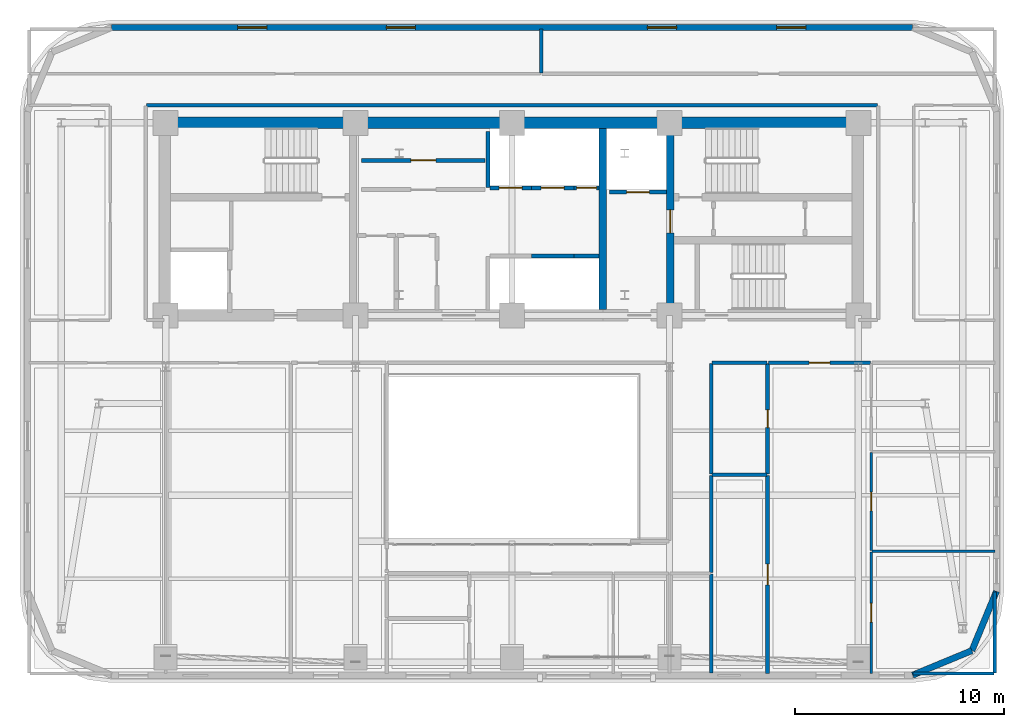
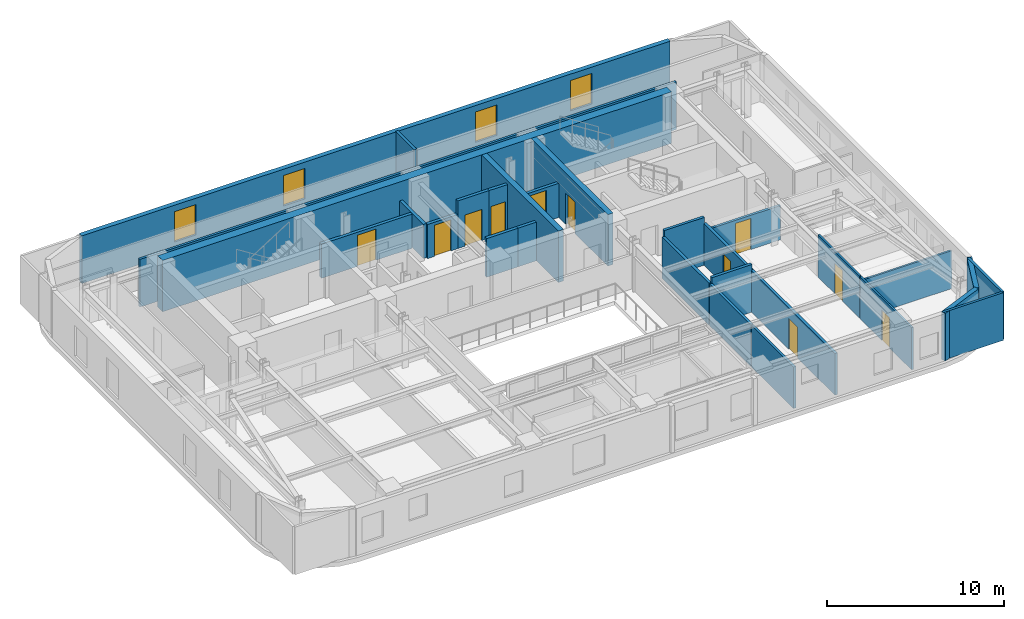
# One storey, part 8 of 13: 29 walls, 11 doors, 4 windows, 15 openings.
"""IFC4 building model written with IfcOpenShell, lengths in metres."""

from ifc_helpers import new_model, si_unit, direction, frame, frame_2d, origin, place, context, subcontext, project, spatial, rectangle, extrude, material, layer, layer_set, type_object, element, fill, save


model = new_model("IFC4")

# Units and contexts
model_context = context("Model", 3, precision=1e-05, world=origin(), true_north=direction((0.0, 1.0)))
body_context = subcontext(model_context, "Body", "Model", "MODEL_VIEW")
ifc_project = project(units=[si_unit("LENGTHUNIT", "METRE"), si_unit("AREAUNIT", "SQUARE_METRE"), si_unit("VOLUMEUNIT", "CUBIC_METRE"), si_unit("PLANEANGLEUNIT", "RADIAN"), si_unit("MASSUNIT", "GRAM", prefix="KILO")], contexts=[model_context])

# Site, building, storey
site_placement = place(None, origin())
site = spatial("IfcSite", under=ifc_project, at=site_placement, CompositionType="ELEMENT")
building_placement = place(site_placement, origin())
building = spatial("IfcBuilding", under=site, at=building_placement, Name="Zarnavel Station Tower", CompositionType="ELEMENT")
storey_placement = place(building_placement, frame((0.0, 0.0, 162.550048828125)))
storey = spatial("IfcBuildingStorey", under=building, at=storey_placement, Name="L44", CompositionType="ELEMENT", Elevation=162.550048828125)

# Wall
ifc_material_1 = material(Name="Concrete C50/60", Category="concrete")
ifc_layer_1 = layer(ifc_material_1, 0.35009765625)
ifc_layer_set_1 = layer_set([ifc_layer_1], Name="CW_350")
wall_type_1 = type_object("IfcWallType", Name="CW_350", PredefinedType="SHEAR", material=ifc_layer_set_1)
wall_1_placement = place(storey_placement, frame((33.14990234375, 28.094970703125, 0.0), z_axis=(0.0, 0.0, 1.0), x_axis=(0.0, 1.0, 0.0)))
element("IfcWall", 1, at=wall_1_placement, inside=storey, type_object=wall_type_1, Name="L44 Rear Core Shear Wall DIV-E", PredefinedType="SHEAR", context=body_context, shape_type="SweptSolid", body=[
    extrude(rectangle(XDim=8.679931640625, YDim=0.35009765625, at=frame_2d((4.33984375, 0.0))), origin(), (0.0, 0.0, 1.0), 3.550048828125),
])

# Wall, opening, door
wall_2_placement = place(storey_placement, frame((36.3798828125, 28.094970703125, 0.0), z_axis=(0.0, 0.0, 1.0), x_axis=(0.0, 1.0, 0.0)))
wall_2 = element("IfcWall", 2, at=wall_2_placement, inside=storey, type_object=wall_type_1, Name="L44 Rear Core Shear Wall DIV-S2", PredefinedType="SHEAR", context=body_context, shape_type="SweptSolid", body=[
    extrude(rectangle(XDim=8.679931640625, YDim=0.35009765625, at=frame_2d((4.33984375, 0.0))), origin(), (0.0, 0.0, 1.0), 3.550048828125),
])
opening_1_placement = place(wall_2_placement, frame((3.68505859375, 0.0, 0.0)))
opening_1 = element("IfcOpeningElement", 3, at=opening_1_placement, cuts=wall_2, Name="Opening FD01", PredefinedType="OPENING", context=body_context, shape_type="SweptSolid", body=[
    extrude(rectangle(XDim=1.10009765625, YDim=2.14990234375, at=frame_2d((0.550048828125, 1.074951171875))), frame((0.0, 0.18505859375, 0.0), z_axis=(0.0, -1.0, 0.0), x_axis=(1.0, 0.0, 0.0)), (0.0, 0.0, 1.0), 0.3701171875),
])
ifc_material_2 = material(Name="Painted Galvanised Steel and Hardwood Leaf", Category="steel")
door_type_1 = type_object("IfcDoorType", Name="ID_STAIR_1100", OperationType="NOTDEFINED", PredefinedType="DOOR", material=ifc_material_2)
door_1_placement = place(opening_1_placement, origin())
door_1 = element("IfcDoor", 4, at=door_1_placement, inside=storey, type_object=door_type_1, Name="L44 East Stair Vestibule Fire Door", OperationType="SINGLE_SWING_LEFT", OverallHeight=2.14990234375, OverallWidth=1.10009765625, PredefinedType="DOOR", context=body_context, shape_type="SweptSolid", body=[
    extrude(rectangle(XDim=1.10009765625, YDim=2.14990234375, at=frame_2d((0.550048828125, 1.074951171875))), frame((0.0, 0.02490234375, 0.0), z_axis=(0.0, -1.0, 0.0), x_axis=(1.0, 0.0, 0.0)), (0.0, 0.0, 1.0), 0.050048828125),
])
fill(opening_1, door_1)

# Walls
ifc_material_3 = material(Name="Concrete C50/60", Category="concrete")
ifc_layer_2 = layer(ifc_material_3, 0.550048828125)
ifc_layer_set_2 = layer_set([ifc_layer_2], Name="CW_550")
wall_type_2 = type_object("IfcWallType", Name="CW_550", PredefinedType="SHEAR", material=ifc_layer_set_2)
wall_3_placement = place(storey_placement, frame((12.14990234375, 37.050048828125, 0.0), z_axis=(0.0, 0.0, 1.0), x_axis=(1.0, 0.0, 0.0)))
element("IfcWall", 5, at=wall_3_placement, inside=storey, type_object=wall_type_2, Name="L44 Rear Core Shear Wall N", PredefinedType="SHEAR", context=body_context, shape_type="SweptSolid", body=[
    extrude(rectangle(XDim=33.22998046875, YDim=0.550048828125, at=frame_2d((16.614990234375, 0.0))), origin(), (0.0, 0.0, 1.0), 3.550048828125),
])
ifc_material_4 = material(Name="Precast concrete C45/55 (Dark Basalt Finish)", Category="masonry")
ifc_layer_3 = layer(ifc_material_4, 0.300048828125)
ifc_layer_set_3 = layer_set([ifc_layer_3], Name="EW_BASALT_300")
wall_type_3 = type_object("IfcWallType", Name="EW_BASALT_300", PredefinedType="SOLIDWALL", material=ifc_layer_set_3)
wall_4_placement = place(storey_placement, frame((50.842529296875, 11.75732421875, 0.0), z_axis=(0.0, 0.0, 1.0), x_axis=(-0.92389884758, -0.382636798336, 0.0)))
element("IfcWall", 6, at=wall_4_placement, inside=storey, type_object=wall_type_3, Name="L44 Exterior Basalt Masonry Frame Wall 01", PredefinedType="SOLIDWALL", context=body_context, shape_type="SweptSolid", body=[
    extrude(rectangle(XDim=3.07666015625, YDim=0.300048828125, at=frame_2d((1.538330078125, 0.0))), origin(), (0.0, 0.0, 1.0), 3.2900390625),
])
wall_5_placement = place(storey_placement, frame((52.02001953125, 14.60009765625, 0.0), z_axis=(0.0, 0.0, 1.0), x_axis=(-0.382676475685, -0.923882414032, 0.0)))
element("IfcWall", 7, at=wall_5_placement, inside=storey, type_object=wall_type_3, Name="L44 Exterior Basalt Masonry Frame Wall 02", PredefinedType="SOLIDWALL", context=body_context, shape_type="SweptSolid", body=[
    extrude(rectangle(XDim=3.076904296875, YDim=0.300048828125, at=frame_2d((1.53857421875, 0.0))), origin(), (0.0, 0.0, 1.0), 3.2900390625),
])

# Wall, openings, windows
wall_6_placement = place(storey_placement, frame((9.60009765625, 41.6201171875, 0.0), z_axis=(0.0, 0.0, 1.0), x_axis=(1.0, 0.0, 0.0)))
wall_6 = element("IfcWall", 8, at=wall_6_placement, inside=storey, type_object=wall_type_3, Name="L44 Exterior Basalt Masonry Frame Wall 06", PredefinedType="SOLIDWALL", context=body_context, shape_type="SweptSolid", body=[
    extrude(rectangle(XDim=38.39990234375, YDim=0.300048828125, at=frame_2d((19.199951171875, 0.0))), origin(), (0.0, 0.0, 1.0), 3.2900390625),
])
opening_2_placement = place(wall_6_placement, frame((6.046630859375, 0.0, 0.75)))
opening_2 = element("IfcOpeningElement", 9, at=opening_2_placement, cuts=wall_6, Name="Opening WN04", PredefinedType="OPENING", context=body_context, shape_type="SweptSolid", body=[
    extrude(rectangle(XDim=1.39990234375, YDim=2.10009765625, at=frame_2d((0.699951171875, 1.050048828125))), frame((0.0, 0.159912109375, 0.0), z_axis=(0.0, -1.0, 0.0), x_axis=(1.0, 0.0, 0.0)), (0.0, 0.0, 1.0), 0.320068359375),
])
opening_3_placement = place(wall_6_placement, frame((13.17333984375, 0.0, 0.75)))
opening_3 = element("IfcOpeningElement", 10, at=opening_3_placement, cuts=wall_6, Name="Opening WN04", PredefinedType="OPENING", context=body_context, shape_type="SweptSolid", body=[
    extrude(rectangle(XDim=1.39990234375, YDim=2.10009765625, at=frame_2d((0.699951171875, 1.050048828125))), frame((0.0, 0.159912109375, 0.0), z_axis=(0.0, -1.0, 0.0), x_axis=(1.0, 0.0, 0.0)), (0.0, 0.0, 1.0), 0.320068359375),
])
opening_4_placement = place(wall_6_placement, frame((25.693359375, 0.0, 0.75)))
opening_4 = element("IfcOpeningElement", 11, at=opening_4_placement, cuts=wall_6, Name="Opening WN04", PredefinedType="OPENING", context=body_context, shape_type="SweptSolid", body=[
    extrude(rectangle(XDim=1.39990234375, YDim=2.10009765625, at=frame_2d((0.699951171875, 1.050048828125))), frame((0.0, 0.159912109375, 0.0), z_axis=(0.0, -1.0, 0.0), x_axis=(1.0, 0.0, 0.0)), (0.0, 0.0, 1.0), 0.320068359375),
])
opening_5_placement = place(wall_6_placement, frame((31.88671875, 0.0, 0.75)))
opening_5 = element("IfcOpeningElement", 12, at=opening_5_placement, cuts=wall_6, Name="Opening WN04", PredefinedType="OPENING", context=body_context, shape_type="SweptSolid", body=[
    extrude(rectangle(XDim=1.39990234375, YDim=2.10009765625, at=frame_2d((0.699951171875, 1.050048828125))), frame((0.0, 0.159912109375, 0.0), z_axis=(0.0, -1.0, 0.0), x_axis=(1.0, 0.0, 0.0)), (0.0, 0.0, 1.0), 0.320068359375),
])
ifc_material_5 = material(Name="Thermally Broken Black Aluminium and Low-E Dark Glass", Category="aluminium")
window_type = type_object("IfcWindowType", Name="WN_1400x2100", PartitioningType="DOUBLE_PANEL_VERTICAL", PredefinedType="WINDOW", material=ifc_material_5)
window_1_placement = place(opening_2_placement, origin())
window_1 = element("IfcWindow", 13, at=window_1_placement, inside=storey, type_object=window_type, Name="L44 Recessed Facade Window 01", OverallHeight=2.10009765625, OverallWidth=1.39990234375, PartitioningType="SINGLE_PANEL", PredefinedType="WINDOW", context=body_context, shape_type="SweptSolid", body=[
    extrude(rectangle(XDim=1.39990234375, YDim=2.10009765625, at=frame_2d((0.699951171875, 1.050048828125))), frame((0.0, 0.030029296875, 0.0), z_axis=(0.0, -1.0, 0.0), x_axis=(1.0, 0.0, 0.0)), (0.0, 0.0, 1.0), 0.06005859375),
])
fill(opening_2, window_1)
window_2_placement = place(opening_3_placement, origin())
window_2 = element("IfcWindow", 14, at=window_2_placement, inside=storey, type_object=window_type, Name="L44 Recessed Facade Window 02", OverallHeight=2.10009765625, OverallWidth=1.39990234375, PartitioningType="SINGLE_PANEL", PredefinedType="WINDOW", context=body_context, shape_type="SweptSolid", body=[
    extrude(rectangle(XDim=1.39990234375, YDim=2.10009765625, at=frame_2d((0.699951171875, 1.050048828125))), frame((0.0, 0.030029296875, 0.0), z_axis=(0.0, -1.0, 0.0), x_axis=(1.0, 0.0, 0.0)), (0.0, 0.0, 1.0), 0.06005859375),
])
fill(opening_3, window_2)
window_3_placement = place(opening_4_placement, origin())
window_3 = element("IfcWindow", 15, at=window_3_placement, inside=storey, type_object=window_type, Name="L44 Recessed Facade Window 03", OverallHeight=2.10009765625, OverallWidth=1.39990234375, PartitioningType="SINGLE_PANEL", PredefinedType="WINDOW", context=body_context, shape_type="SweptSolid", body=[
    extrude(rectangle(XDim=1.39990234375, YDim=2.10009765625, at=frame_2d((0.699951171875, 1.050048828125))), frame((0.0, 0.030029296875, 0.0), z_axis=(0.0, -1.0, 0.0), x_axis=(1.0, 0.0, 0.0)), (0.0, 0.0, 1.0), 0.06005859375),
])
fill(opening_4, window_3)
window_4_placement = place(opening_5_placement, origin())
window_4 = element("IfcWindow", 16, at=window_4_placement, inside=storey, type_object=window_type, Name="L44 Recessed Facade Window 04", OverallHeight=2.10009765625, OverallWidth=1.39990234375, PartitioningType="SINGLE_PANEL", PredefinedType="WINDOW", context=body_context, shape_type="SweptSolid", body=[
    extrude(rectangle(XDim=1.39990234375, YDim=2.10009765625, at=frame_2d((0.699951171875, 1.050048828125))), frame((0.0, 0.030029296875, 0.0), z_axis=(0.0, -1.0, 0.0), x_axis=(1.0, 0.0, 0.0)), (0.0, 0.0, 1.0), 0.06005859375),
])
fill(opening_5, window_4)

# Wall, opening, door
ifc_material_6 = material(Name="Gypsum Twin-Stud Acoustic Fire Partition", Category="concrete")
ifc_layer_4 = layer(ifc_material_6, 0.159912109375)
ifc_layer_set_4 = layer_set([ifc_layer_4], Name="PT_DEMISE_160")
wall_type_4 = type_object("IfcWallType", Name="PT_DEMISE_160", PredefinedType="PARTITIONING", material=ifc_layer_set_4)
wall_7_placement = place(storey_placement, frame((41.090087890625, 25.550048828125, 0.0), z_axis=(0.0, 0.0, 1.0), x_axis=(1.0, 0.0, 0.0)))
wall_7 = element("IfcWall", 17, at=wall_7_placement, inside=storey, type_object=wall_type_4, Name="L44 Partition COR-S-UE1LV", PredefinedType="PARTITIONING", context=body_context, shape_type="SweptSolid", body=[
    extrude(rectangle(XDim=4.889892578125, YDim=0.159912109375, at=frame_2d((2.44482421875, 0.0))), origin(), (0.0, 0.0, 1.0), 2.35986328125),
])
opening_6_placement = place(wall_7_placement, frame((1.945068359375, 0.0, 0.0)))
opening_6 = element("IfcOpeningElement", 18, at=opening_6_placement, cuts=wall_7, Name="Opening FD02", PredefinedType="OPENING", context=body_context, shape_type="SweptSolid", body=[
    extrude(rectangle(XDim=1.0, YDim=2.14990234375, at=frame_2d((0.5, 1.074951171875))), frame((0.0, 0.08984375, 0.0), z_axis=(0.0, -1.0, 0.0), x_axis=(1.0, 0.0, 0.0)), (0.0, 0.0, 1.0), 0.179931640625),
])
ifc_material_7 = material(Name="Painted Galvanised Steel and Hardwood Leaf", Category="steel")
door_type_2 = type_object("IfcDoorType", Name="ID_ENTRY_1000", OperationType="NOTDEFINED", PredefinedType="DOOR", material=ifc_material_7)
door_2_placement = place(opening_6_placement, origin())
door_2 = element("IfcDoor", 19, at=door_2_placement, inside=storey, type_object=door_type_2, Name="L44 Door COR-S-UE1LV", OperationType="SINGLE_SWING_RIGHT", OverallHeight=2.14990234375, OverallWidth=1.0, PredefinedType="DOOR", context=body_context, shape_type="SweptSolid", body=[
    extrude(rectangle(XDim=1.0, YDim=2.14990234375, at=frame_2d((0.5, 1.074951171875))), frame((0.0, 0.02490234375, 0.0), z_axis=(0.0, -1.0, 0.0), x_axis=(1.0, 0.0, 0.0)), (0.0, 0.0, 1.0), 0.050048828125),
])
fill(opening_6, door_2)

# Walls
wall_8_placement = place(storey_placement, frame((11.280029296875, 37.89990234375, 0.0), z_axis=(0.0, 0.0, 1.0), x_axis=(1.0, 0.0, 0.0)))
element("IfcWall", 20, at=wall_8_placement, inside=storey, type_object=wall_type_4, Name="L44 Enclosure Wall COR-N", PredefinedType="PARTITIONING", context=body_context, shape_type="SweptSolid", body=[
    extrude(rectangle(XDim=35.0400390625, YDim=0.159912109375, at=frame_2d((17.52001953125, 0.0))), origin(), (0.0, 0.0, 1.0), 3.2900390625),
])
wall_9_placement = place(storey_placement, frame((38.35009765625, 10.68994140625, 0.0), z_axis=(0.0, 0.0, 1.0), x_axis=(0.0, 1.0, 0.0)))
element("IfcWall", 21, at=wall_9_placement, inside=storey, type_object=wall_type_4, Name="L44 Enclosure Wall UE1KT", PredefinedType="PARTITIONING", context=body_context, shape_type="SweptSolid", body=[
    extrude(rectangle(XDim=4.72998046875, YDim=0.159912109375, at=frame_2d((2.364990234375, 0.0))), origin(), (0.0, 0.0, 1.0), 2.869873046875),
])
wall_10_placement = place(storey_placement, frame((48.030029296875, 10.659912109375, 0.0), z_axis=(0.0, 0.0, 1.0), x_axis=(1.0, 0.0, 0.0)))
element("IfcWall", 22, at=wall_10_placement, inside=storey, type_object=wall_type_4, Name="L44 Enclosure Wall UE1B1", PredefinedType="PARTITIONING", context=body_context, shape_type="SweptSolid", body=[
    extrude(rectangle(XDim=3.8798828125, YDim=0.159912109375, at=frame_2d((1.93994140625, 0.0))), origin(), (0.0, 0.0, 1.0), 3.2900390625),
])
wall_11_placement = place(storey_placement, frame((51.93994140625, 10.68994140625, 0.0), z_axis=(0.0, 0.0, 1.0), x_axis=(0.0, 1.0, 0.0)))
element("IfcWall", 23, at=wall_11_placement, inside=storey, type_object=wall_type_4, Name="L44 Enclosure Wall UE1B1", PredefinedType="PARTITIONING", context=body_context, shape_type="SweptSolid", body=[
    extrude(rectangle(XDim=3.880126953125, YDim=0.159912109375, at=frame_2d((1.93994140625, 0.0))), origin(), (0.0, 0.0, 1.0), 3.2900390625),
])

# Wall, opening, door
ifc_material_8 = material(Name="Gypsum Metal-Stud Interior Partition", Category="concrete")
ifc_layer_5 = layer(ifc_material_8, 0.1201171875)
ifc_layer_set_5 = layer_set([ifc_layer_5], Name="PT_ROOM_120")
wall_type_5 = type_object("IfcWallType", Name="PT_ROOM_120", PredefinedType="PARTITIONING", material=ifc_layer_set_5)
wall_12_placement = place(storey_placement, frame((46.02001953125, 10.659912109375, 0.0), z_axis=(0.0, 0.0, 1.0), x_axis=(0.0, 1.0, 0.0)))
wall_12 = element("IfcWall", 24, at=wall_12_placement, inside=storey, type_object=wall_type_5, Name="L44 Partition UE1LV-UE1B1", PredefinedType="PARTITIONING", context=body_context, shape_type="SweptSolid", body=[
    extrude(rectangle(XDim=5.817138671875, YDim=0.1201171875, at=frame_2d((2.90869140625, 0.0))), origin(), (0.0, 0.0, 1.0), 2.909912109375),
])
opening_7_placement = place(wall_12_placement, frame((2.45849609375, 0.0, 0.0)))
opening_7 = element("IfcOpeningElement", 25, at=opening_7_placement, cuts=wall_12, Name="Opening ID01", PredefinedType="OPENING", context=body_context, shape_type="SweptSolid", body=[
    extrude(rectangle(XDim=0.89990234375, YDim=2.10009765625, at=frame_2d((0.449951171875, 1.050048828125))), frame((0.0, 0.070068359375, 0.0), z_axis=(0.0, -1.0, 0.0), x_axis=(1.0, 0.0, 0.0)), (0.0, 0.0, 1.0), 0.14013671875),
])
ifc_material_9 = material(Name="Painted Galvanised Steel and Hardwood Leaf", Category="steel")
door_type_3 = type_object("IfcDoorType", Name="ID_ROOM_900", OperationType="NOTDEFINED", PredefinedType="DOOR", material=ifc_material_9)
door_3_placement = place(opening_7_placement, origin())
door_3 = element("IfcDoor", 26, at=door_3_placement, inside=storey, type_object=door_type_3, Name="L44 Door UE1LV-UE1B1", OperationType="SINGLE_SWING_RIGHT", OverallHeight=2.10009765625, OverallWidth=0.89990234375, PredefinedType="DOOR", context=body_context, shape_type="SweptSolid", body=[
    extrude(rectangle(XDim=0.89990234375, YDim=2.10009765625, at=frame_2d((0.449951171875, 1.050048828125))), frame((0.0, 0.02490234375, 0.0), z_axis=(0.0, -1.0, 0.0), x_axis=(1.0, 0.0, 0.0)), (0.0, 0.0, 1.0), 0.050048828125),
])
fill(opening_7, door_3)

wall_13_placement = place(storey_placement, frame((46.02001953125, 16.556884765625, 0.0), z_axis=(0.0, 0.0, 1.0), x_axis=(0.0, 1.0, 0.0)))
wall_13 = element("IfcWall", 27, at=wall_13_placement, inside=storey, type_object=wall_type_5, Name="L44 Partition UE1LV-UE1B2", PredefinedType="PARTITIONING", context=body_context, shape_type="SweptSolid", body=[
    extrude(rectangle(XDim=4.68505859375, YDim=0.1201171875, at=frame_2d((2.342529296875, 0.0))), origin(), (0.0, 0.0, 1.0), 2.909912109375),
])
opening_8_placement = place(wall_13_placement, frame((1.892578125, 0.0, 0.0)))
opening_8 = element("IfcOpeningElement", 28, at=opening_8_placement, cuts=wall_13, Name="Opening ID01", PredefinedType="OPENING", context=body_context, shape_type="SweptSolid", body=[
    extrude(rectangle(XDim=0.89990234375, YDim=2.10009765625, at=frame_2d((0.449951171875, 1.050048828125))), frame((0.0, 0.070068359375, 0.0), z_axis=(0.0, -1.0, 0.0), x_axis=(1.0, 0.0, 0.0)), (0.0, 0.0, 1.0), 0.14013671875),
])
door_4_placement = place(opening_8_placement, origin())
door_4 = element("IfcDoor", 29, at=door_4_placement, inside=storey, type_object=door_type_3, Name="L44 Door UE1LV-UE1B2", OperationType="SINGLE_SWING_LEFT", OverallHeight=2.10009765625, OverallWidth=0.89990234375, PredefinedType="DOOR", context=body_context, shape_type="SweptSolid", body=[
    extrude(rectangle(XDim=0.89990234375, YDim=2.10009765625, at=frame_2d((0.449951171875, 1.050048828125))), frame((0.0, 0.02490234375, 0.0), z_axis=(0.0, -1.0, 0.0), x_axis=(1.0, 0.0, 0.0)), (0.0, 0.0, 1.0), 0.050048828125),
])
fill(opening_8, door_4)

# Wall
wall_14_placement = place(storey_placement, frame((46.06005859375, 16.51708984375, 0.0), z_axis=(0.0, 0.0, 1.0), x_axis=(1.0, 0.0, 0.0)))
element("IfcWall", 30, at=wall_14_placement, inside=storey, type_object=wall_type_5, Name="L44 Partition UE1B1-UE1B2", PredefinedType="PARTITIONING", context=body_context, shape_type="SweptSolid", body=[
    extrude(rectangle(XDim=5.8798828125, YDim=0.1201171875, at=frame_2d((2.93994140625, 0.0))), origin(), (0.0, 0.0, 1.0), 2.619873046875),
])

# Wall, opening, door
ifc_material_10 = material(Name="Precast concrete C45/55 (Fire Shaft Blockwork)", Category="masonry")
ifc_layer_6 = layer(ifc_material_10, 0.199951171875)
ifc_layer_set_6 = layer_set([ifc_layer_6], Name="PT_SHAFT_200")
wall_type_6 = type_object("IfcWallType", Name="PT_SHAFT_200", PredefinedType="PARTITIONING", material=ifc_layer_set_6)
wall_15_placement = place(storey_placement, frame((33.47509765625, 33.72998046875, 0.0), z_axis=(0.0, 0.0, 1.0), x_axis=(1.0, 0.0, 0.0)))
wall_15 = element("IfcWall", 31, at=wall_15_placement, inside=storey, type_object=wall_type_6, Name="L44 Lift FFL-02 Shaft Front Wall", PredefinedType="PARTITIONING", context=body_context, shape_type="SweptSolid", body=[
    extrude(rectangle(XDim=2.724853515625, YDim=0.199951171875, at=frame_2d((1.3623046875, 0.0))), origin(), (0.0, 0.0, 1.0), 2.35986328125),
])
opening_9_placement = place(wall_15_placement, frame((0.8125, 0.0, 0.0)))
opening_9 = element("IfcOpeningElement", 32, at=opening_9_placement, cuts=wall_15, Name="Opening LD01", PredefinedType="OPENING", context=body_context, shape_type="SweptSolid", body=[
    extrude(rectangle(XDim=1.10009765625, YDim=2.14990234375, at=frame_2d((0.550048828125, 1.074951171875))), frame((0.0, 0.10986328125, 0.0), z_axis=(0.0, -1.0, 0.0), x_axis=(1.0, 0.0, 0.0)), (0.0, 0.0, 1.0), 0.219970703125),
])
ifc_material_11 = material(Name="Painted Galvanised Steel and Hardwood Leaf", Category="steel")
door_type_4 = type_object("IfcDoorType", Name="LD_FF_1100", OperationType="DOUBLE_DOOR_SLIDING", PredefinedType="DOOR", material=ifc_material_11)
door_5_placement = place(opening_9_placement, origin())
door_5 = element("IfcDoor", 33, at=door_5_placement, inside=storey, type_object=door_type_4, Name="L44 Lift FFL-02 Sliding Landing Door", OperationType="DOUBLE_DOOR_SLIDING", OverallHeight=2.14990234375, OverallWidth=1.10009765625, PredefinedType="DOOR", context=body_context, shape_type="SweptSolid", body=[
    extrude(rectangle(XDim=1.10009765625, YDim=2.14990234375, at=frame_2d((0.550048828125, 1.074951171875))), frame((0.0, 0.02490234375, 0.0), z_axis=(0.0, -1.0, 0.0), x_axis=(1.0, 0.0, 0.0)), (0.0, 0.0, 1.0), 0.050048828125),
])
fill(opening_9, door_5)

# Walls
wall_16_placement = place(storey_placement, frame((29.72509765625, 30.669921875, 0.0), z_axis=(0.0, 0.0, 1.0), x_axis=(1.0, 0.0, 0.0)))
element("IfcWall", 34, at=wall_16_placement, inside=storey, type_object=wall_type_6, Name="L44 Lift PL-H2 Shaft Front Wall", PredefinedType="PARTITIONING", context=body_context, shape_type="SweptSolid", body=[
    extrude(rectangle(XDim=2.0498046875, YDim=0.199951171875, at=frame_2d((1.02490234375, 0.0))), origin(), (0.0, 0.0, 1.0), 2.669921875),
])
wall_17_placement = place(storey_placement, frame((31.77490234375, 30.669921875, 0.0), z_axis=(0.0, 0.0, 1.0), x_axis=(1.0, 0.0, 0.0)))
element("IfcWall", 35, at=wall_17_placement, inside=storey, type_object=wall_type_6, Name="L44 Lift PL-H3 Shaft Front Wall", PredefinedType="PARTITIONING", context=body_context, shape_type="SweptSolid", body=[
    extrude(rectangle(XDim=1.2001953125, YDim=0.199951171875, at=frame_2d((0.60009765625, 0.0))), origin(), (0.0, 0.0, 1.0), 2.669921875),
])

# Wall, opening, door
wall_18_placement = place(storey_placement, frame((27.75, 33.929931640625, 0.0), z_axis=(0.0, 0.0, 1.0), x_axis=(1.0, 0.0, 0.0)))
wall_18 = element("IfcWall", 36, at=wall_18_placement, inside=storey, type_object=wall_type_6, Name="L44 Lift PL-M1 Shaft Front Wall", PredefinedType="PARTITIONING", context=body_context, shape_type="SweptSolid", body=[
    extrude(rectangle(XDim=1.97509765625, YDim=0.199951171875, at=frame_2d((0.987548828125, 0.0))), origin(), (0.0, 0.0, 1.0), 2.35986328125),
])
opening_10_placement = place(wall_18_placement, frame((0.4375, 0.0, 0.0)))
opening_10 = element("IfcOpeningElement", 37, at=opening_10_placement, cuts=wall_18, Name="Opening LD02", PredefinedType="OPENING", context=body_context, shape_type="SweptSolid", body=[
    extrude(rectangle(XDim=1.10009765625, YDim=2.14990234375, at=frame_2d((0.550048828125, 1.074951171875))), frame((0.0, 0.10986328125, 0.0), z_axis=(0.0, -1.0, 0.0), x_axis=(1.0, 0.0, 0.0)), (0.0, 0.0, 1.0), 0.219970703125),
])
ifc_material_12 = material(Name="Painted Galvanised Steel and Hardwood Leaf", Category="steel")
door_type_5 = type_object("IfcDoorType", Name="LD_PAX_1100", OperationType="DOUBLE_DOOR_SLIDING", PredefinedType="DOOR", material=ifc_material_12)
door_6_placement = place(opening_10_placement, origin())
door_6 = element("IfcDoor", 38, at=door_6_placement, inside=storey, type_object=door_type_5, Name="L44 Lift PL-M1 Sliding Landing Door", OperationType="DOUBLE_DOOR_SLIDING", OverallHeight=2.14990234375, OverallWidth=1.10009765625, PredefinedType="DOOR", context=body_context, shape_type="SweptSolid", body=[
    extrude(rectangle(XDim=1.10009765625, YDim=2.14990234375, at=frame_2d((0.550048828125, 1.074951171875))), frame((0.0, 0.02490234375, 0.0), z_axis=(0.0, -1.0, 0.0), x_axis=(1.0, 0.0, 0.0)), (0.0, 0.0, 1.0), 0.050048828125),
])
fill(opening_10, door_6)

# Wall
wall_19_placement = place(storey_placement, frame((27.64990234375, 33.949951171875, 0.0), z_axis=(0.0, 0.0, 1.0), x_axis=(0.0, 1.0, 0.0)))
element("IfcWall", 39, at=wall_19_placement, inside=storey, type_object=wall_type_6, Name="L44 Mid-Rise Lift Bank West Shaft Wall", PredefinedType="PARTITIONING", context=body_context, shape_type="SweptSolid", body=[
    extrude(rectangle(XDim=2.679931640625, YDim=0.199951171875, at=frame_2d((1.33984375, 0.0))), origin(), (0.0, 0.0, 1.0), 2.35986328125),
])

# Wall, opening, door
wall_20_placement = place(storey_placement, frame((29.72509765625, 33.929931640625, 0.0), z_axis=(0.0, 0.0, 1.0), x_axis=(1.0, 0.0, 0.0)))
wall_20 = element("IfcWall", 40, at=wall_20_placement, inside=storey, type_object=wall_type_6, Name="L44 Lift PL-M2 Shaft Front Wall", PredefinedType="PARTITIONING", context=body_context, shape_type="SweptSolid", body=[
    extrude(rectangle(XDim=2.0498046875, YDim=0.199951171875, at=frame_2d((1.02490234375, 0.0))), origin(), (0.0, 0.0, 1.0), 3.2900390625),
])
opening_11_placement = place(wall_20_placement, frame((0.47509765625, 0.0, 0.0)))
opening_11 = element("IfcOpeningElement", 41, at=opening_11_placement, cuts=wall_20, Name="Opening LD02", PredefinedType="OPENING", context=body_context, shape_type="SweptSolid", body=[
    extrude(rectangle(XDim=1.10009765625, YDim=2.14990234375, at=frame_2d((0.550048828125, 1.074951171875))), frame((0.0, 0.10986328125, 0.0), z_axis=(0.0, -1.0, 0.0), x_axis=(1.0, 0.0, 0.0)), (0.0, 0.0, 1.0), 0.219970703125),
])
door_7_placement = place(opening_11_placement, origin())
door_7 = element("IfcDoor", 42, at=door_7_placement, inside=storey, type_object=door_type_5, Name="L44 Lift PL-M2 Sliding Landing Door", OperationType="DOUBLE_DOOR_SLIDING", OverallHeight=2.14990234375, OverallWidth=1.10009765625, PredefinedType="DOOR", context=body_context, shape_type="SweptSolid", body=[
    extrude(rectangle(XDim=1.10009765625, YDim=2.14990234375, at=frame_2d((0.550048828125, 1.074951171875))), frame((0.0, 0.02490234375, 0.0), z_axis=(0.0, -1.0, 0.0), x_axis=(1.0, 0.0, 0.0)), (0.0, 0.0, 1.0), 0.050048828125),
])
fill(opening_11, door_7)

wall_21_placement = place(storey_placement, frame((31.77490234375, 33.929931640625, 0.0), z_axis=(0.0, 0.0, 1.0), x_axis=(1.0, 0.0, 0.0)))
wall_21 = element("IfcWall", 43, at=wall_21_placement, inside=storey, type_object=wall_type_6, Name="L44 Lift PL-M3 Shaft Front Wall", PredefinedType="PARTITIONING", context=body_context, shape_type="SweptSolid", body=[
    extrude(rectangle(XDim=1.2001953125, YDim=0.199951171875, at=frame_2d((0.60009765625, 0.0))), origin(), (0.0, 0.0, 1.0), 3.2900390625),
])
opening_12_placement = place(wall_21_placement, frame((0.125, 0.0, 0.0)))
opening_12 = element("IfcOpeningElement", 44, at=opening_12_placement, cuts=wall_21, Name="Opening LD03", PredefinedType="OPENING", context=body_context, shape_type="SweptSolid", body=[
    extrude(rectangle(XDim=0.949951171875, YDim=2.14990234375, at=frame_2d((0.47509765625, 1.074951171875))), frame((0.0, 0.10986328125, 0.0), z_axis=(0.0, -1.0, 0.0), x_axis=(1.0, 0.0, 0.0)), (0.0, 0.0, 1.0), 0.219970703125),
])
ifc_material_13 = material(Name="Painted Galvanised Steel and Hardwood Leaf", Category="steel")
door_type_6 = type_object("IfcDoorType", Name="LD_PAX_0950", OperationType="DOUBLE_DOOR_SLIDING", PredefinedType="DOOR", material=ifc_material_13)
door_8_placement = place(opening_12_placement, origin())
door_8 = element("IfcDoor", 45, at=door_8_placement, inside=storey, type_object=door_type_6, Name="L44 Lift PL-M3 Sliding Landing Door", OperationType="DOUBLE_DOOR_SLIDING", OverallHeight=2.14990234375, OverallWidth=0.949951171875, PredefinedType="DOOR", context=body_context, shape_type="SweptSolid", body=[
    extrude(rectangle(XDim=0.949951171875, YDim=2.14990234375, at=frame_2d((0.47509765625, 1.074951171875))), frame((0.0, 0.02490234375, 0.0), z_axis=(0.0, -1.0, 0.0), x_axis=(1.0, 0.0, 0.0)), (0.0, 0.0, 1.0), 0.050048828125),
])
fill(opening_12, door_8)

wall_22_placement = place(storey_placement, frame((21.590087890625, 35.25, 0.0), z_axis=(0.0, 0.0, 1.0), x_axis=(1.0, 0.0, 0.0)))
wall_22 = element("IfcWall", 46, at=wall_22_placement, inside=storey, type_object=wall_type_6, Name="L44 Partition FB1A-FB1B", PredefinedType="PARTITIONING", context=body_context, shape_type="SweptSolid", body=[
    extrude(rectangle(XDim=5.919921875, YDim=0.199951171875, at=frame_2d((2.9599609375, 0.0))), origin(), (0.0, 0.0, 1.0), 2.35986328125),
])
opening_13_placement = place(wall_22_placement, frame((2.360107421875, 0.0, 0.0)))
opening_13 = element("IfcOpeningElement", 47, at=opening_13_placement, cuts=wall_22, Name="Opening FD03", PredefinedType="OPENING", context=body_context, shape_type="SweptSolid", body=[
    extrude(rectangle(XDim=1.199951171875, YDim=2.14990234375, at=frame_2d((0.60009765625, 1.074951171875))), frame((0.0, 0.10986328125, 0.0), z_axis=(0.0, -1.0, 0.0), x_axis=(1.0, 0.0, 0.0)), (0.0, 0.0, 1.0), 0.219970703125),
])
ifc_material_14 = material(Name="Painted Galvanised Steel and Hardwood Leaf", Category="steel")
door_type_7 = type_object("IfcDoorType", Name="ID_PLANT_1200", OperationType="NOTDEFINED", PredefinedType="DOOR", material=ifc_material_14)
door_9_placement = place(opening_13_placement, origin())
door_9 = element("IfcDoor", 48, at=door_9_placement, inside=storey, type_object=door_type_7, Name="L44 Door FB1A-FB1B", OperationType="SINGLE_SWING_RIGHT", OverallHeight=2.14990234375, OverallWidth=1.199951171875, PredefinedType="DOOR", context=body_context, shape_type="SweptSolid", body=[
    extrude(rectangle(XDim=1.199951171875, YDim=2.14990234375, at=frame_2d((0.60009765625, 1.074951171875))), frame((0.0, 0.02490234375, 0.0), z_axis=(0.0, -1.0, 0.0), x_axis=(1.0, 0.0, 0.0)), (0.0, 0.0, 1.0), 0.050048828125),
])
fill(opening_13, door_9)

# Walls
ifc_material_15 = material(Name="Moisture-Resistant Plumbing Chase Wall", Category="concrete")
ifc_layer_7 = layer(ifc_material_15, 0.179931640625)
ifc_layer_set_7 = layer_set([ifc_layer_7], Name="PW_PLUMB_180")
wall_type_7 = type_object("IfcWallType", Name="PW_PLUMB_180", PredefinedType="PLUMBINGWALL", material=ifc_layer_set_7)
wall_23_placement = place(storey_placement, frame((38.389892578125, 25.550048828125, 0.0), z_axis=(0.0, 0.0, 1.0), x_axis=(1.0, 0.0, 0.0)))
element("IfcWall", 49, at=wall_23_placement, inside=storey, type_object=wall_type_7, Name="L44 Partition COR-S-UE1BA", PredefinedType="PLUMBINGWALL", context=body_context, shape_type="SweptSolid", body=[
    extrude(rectangle(XDim=2.6201171875, YDim=0.179931640625, at=frame_2d((1.31005859375, 0.0))), origin(), (0.0, 0.0, 1.0), 3.2900390625),
])
wall_24_placement = place(storey_placement, frame((38.35009765625, 15.489990234375, 0.0), z_axis=(0.0, 0.0, 1.0), x_axis=(0.0, 1.0, 0.0)))
element("IfcWall", 50, at=wall_24_placement, inside=storey, type_object=wall_type_7, Name="L44 Partition COR-AE-UE1KT", PredefinedType="PLUMBINGWALL", context=body_context, shape_type="SweptSolid", body=[
    extrude(rectangle(XDim=4.659912109375, YDim=0.179931640625, at=frame_2d((2.330078125, 0.0))), origin(), (0.0, 0.0, 1.0), 2.869873046875),
])
wall_25_placement = place(storey_placement, frame((38.35009765625, 20.22998046875, 0.0), z_axis=(0.0, 0.0, 1.0), x_axis=(0.0, 1.0, 0.0)))
element("IfcWall", 51, at=wall_25_placement, inside=storey, type_object=wall_type_7, Name="L44 Partition COR-AE-UE1BA", PredefinedType="PLUMBINGWALL", context=body_context, shape_type="SweptSolid", body=[
    extrude(rectangle(XDim=5.280029296875, YDim=0.179931640625, at=frame_2d((2.64013671875, 0.0))), origin(), (0.0, 0.0, 1.0), 2.869873046875),
])
wall_26_placement = place(storey_placement, frame((30.199951171875, 39.43994140625, 0.0), z_axis=(0.0, 0.0, 1.0), x_axis=(0.0, 1.0, 0.0)))
element("IfcWall", 52, at=wall_26_placement, inside=storey, type_object=wall_type_7, Name="L44 Partition NLOU-NPAN", PredefinedType="PLUMBINGWALL", context=body_context, shape_type="SweptSolid", body=[
    extrude(rectangle(XDim=2.10009765625, YDim=0.179931640625, at=frame_2d((1.050048828125, 0.0))), origin(), (0.0, 0.0, 1.0), 3.2900390625),
])

# Wall, opening, door
wall_27_placement = place(storey_placement, frame((41.050048828125, 10.659912109375, 0.0), z_axis=(0.0, 0.0, 1.0), x_axis=(0.0, 1.0, 0.0)))
wall_27 = element("IfcWall", 53, at=wall_27_placement, inside=storey, type_object=wall_type_7, Name="L44 Partition UE1LV-UE1KT", PredefinedType="PLUMBINGWALL", context=body_context, shape_type="SweptSolid", body=[
    extrude(rectangle(XDim=9.489990234375, YDim=0.179931640625, at=frame_2d((4.7451171875, 0.0))), origin(), (0.0, 0.0, 1.0), 2.869873046875),
])
opening_14_placement = place(wall_27_placement, frame((4.2451171875, 0.0, 0.0)))
opening_14 = element("IfcOpeningElement", 54, at=opening_14_placement, cuts=wall_27, Name="Opening FD02", PredefinedType="OPENING", context=body_context, shape_type="SweptSolid", body=[
    extrude(rectangle(XDim=1.0, YDim=2.14990234375, at=frame_2d((0.5, 1.074951171875))), frame((0.0, 0.099853515625, 0.0), z_axis=(0.0, -1.0, 0.0), x_axis=(1.0, 0.0, 0.0)), (0.0, 0.0, 1.0), 0.199951171875),
])
door_10_placement = place(opening_14_placement, origin())
door_10 = element("IfcDoor", 55, at=door_10_placement, inside=storey, type_object=door_type_2, Name="L44 Door UE1LV-UE1KT", OperationType="SINGLE_SWING_RIGHT", OverallHeight=2.14990234375, OverallWidth=1.0, PredefinedType="DOOR", context=body_context, shape_type="SweptSolid", body=[
    extrude(rectangle(XDim=1.0, YDim=2.14990234375, at=frame_2d((0.5, 1.074951171875))), frame((0.0, 0.02490234375, 0.0), z_axis=(0.0, -1.0, 0.0), x_axis=(1.0, 0.0, 0.0)), (0.0, 0.0, 1.0), 0.050048828125),
])
fill(opening_14, door_10)

wall_28_placement = place(storey_placement, frame((41.050048828125, 20.22998046875, 0.0), z_axis=(0.0, 0.0, 1.0), x_axis=(0.0, 1.0, 0.0)))
wall_28 = element("IfcWall", 56, at=wall_28_placement, inside=storey, type_object=wall_type_7, Name="L44 Partition UE1LV-UE1BA", PredefinedType="PLUMBINGWALL", context=body_context, shape_type="SweptSolid", body=[
    extrude(rectangle(XDim=5.280029296875, YDim=0.179931640625, at=frame_2d((2.64013671875, 0.0))), origin(), (0.0, 0.0, 1.0), 2.869873046875),
])
opening_15_placement = place(wall_28_placement, frame((2.215087890625, 0.0, 0.0)))
opening_15 = element("IfcOpeningElement", 57, at=opening_15_placement, cuts=wall_28, Name="Opening ID02", PredefinedType="OPENING", context=body_context, shape_type="SweptSolid", body=[
    extrude(rectangle(XDim=0.85009765625, YDim=2.10009765625, at=frame_2d((0.425048828125, 1.050048828125))), frame((0.0, 0.099853515625, 0.0), z_axis=(0.0, -1.0, 0.0), x_axis=(1.0, 0.0, 0.0)), (0.0, 0.0, 1.0), 0.199951171875),
])
ifc_material_16 = material(Name="Painted Galvanised Steel and Hardwood Leaf", Category="steel")
door_type_8 = type_object("IfcDoorType", Name="ID_BATH_850", OperationType="NOTDEFINED", PredefinedType="DOOR", material=ifc_material_16)
door_11_placement = place(opening_15_placement, origin())
door_11 = element("IfcDoor", 58, at=door_11_placement, inside=storey, type_object=door_type_8, Name="L44 Door UE1LV-UE1BA", OperationType="SINGLE_SWING_LEFT", OverallHeight=2.10009765625, OverallWidth=0.85009765625, PredefinedType="DOOR", context=body_context, shape_type="SweptSolid", body=[
    extrude(rectangle(XDim=0.85009765625, YDim=2.10009765625, at=frame_2d((0.425048828125, 1.050048828125))), frame((0.0, 0.02490234375, 0.0), z_axis=(0.0, -1.0, 0.0), x_axis=(1.0, 0.0, 0.0)), (0.0, 0.0, 1.0), 0.050048828125),
])
fill(opening_15, door_11)

# Wall
wall_29_placement = place(storey_placement, frame((38.389892578125, 20.18994140625, 0.0), z_axis=(0.0, 0.0, 1.0), x_axis=(1.0, 0.0, 0.0)))
element("IfcWall", 59, at=wall_29_placement, inside=storey, type_object=wall_type_7, Name="L44 Partition UE1KT-UE1BA", PredefinedType="PLUMBINGWALL", context=body_context, shape_type="SweptSolid", body=[
    extrude(rectangle(XDim=2.6201171875, YDim=0.179931640625, at=frame_2d((1.31005859375, 0.0))), origin(), (0.0, 0.0, 1.0), 3.2900390625),
])

save(model, "model.ifc")
